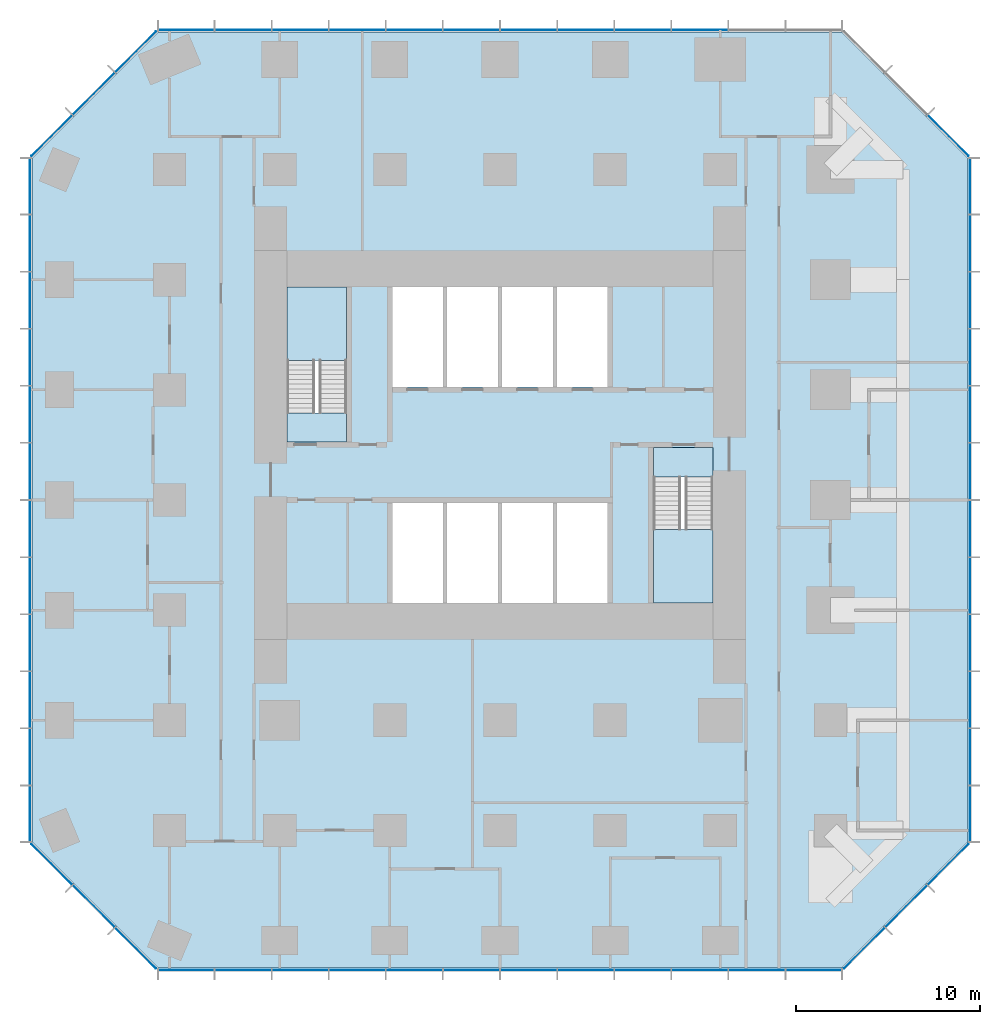
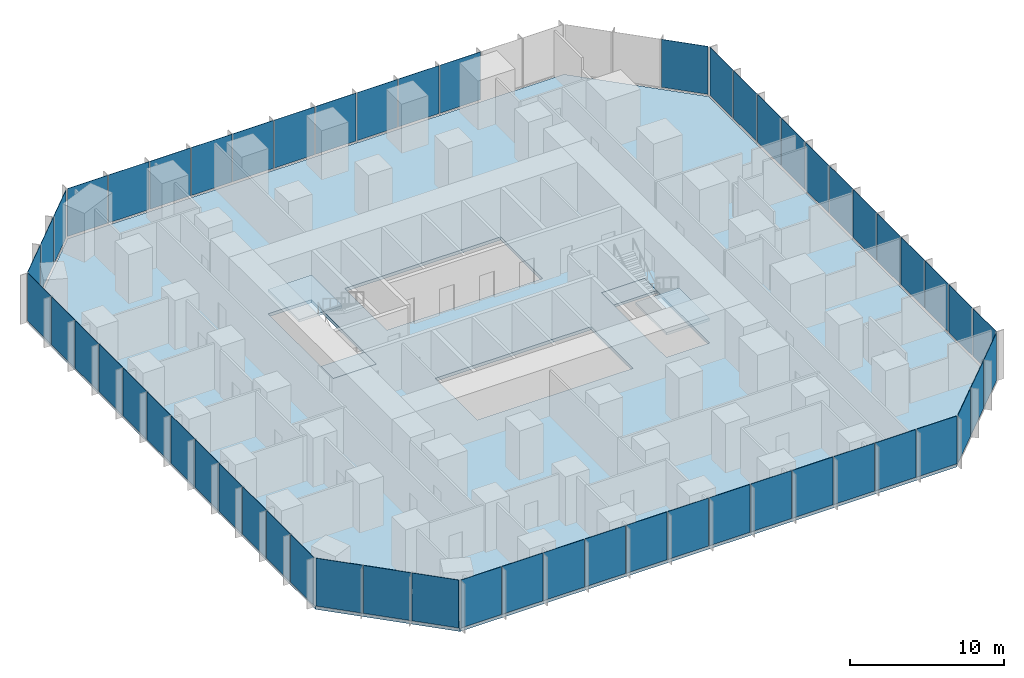
# One storey, part 7 of 12: 56 plates, 5 slabs, 10 elements without a shape of their own.
"""IFC4 building model written with IfcOpenShell, lengths in metres."""

from ifc_helpers import new_model, si_unit, direction, frame, origin, origin_2d, place, context, subcontext, project, spatial, polyline, rectangle, outline, extrude, material, layer, layer_set, type_object, element, aggregate, save


model = new_model("IFC4")

# Units and contexts
model_context = context("Model", 3, precision=1e-05, world=origin(), true_north=direction((0.0, 1.0)))
body_context = subcontext(model_context, "Body", "Model", "MODEL_VIEW")
ifc_project = project(units=[si_unit("LENGTHUNIT", "METRE"), si_unit("AREAUNIT", "SQUARE_METRE"), si_unit("VOLUMEUNIT", "CUBIC_METRE"), si_unit("PLANEANGLEUNIT", "RADIAN"), si_unit("MASSUNIT", "GRAM", prefix="KILO")], contexts=[model_context])

# Site, building, storey
site_placement = place(None, origin())
site = spatial("IfcSite", under=ifc_project, at=site_placement, CompositionType="ELEMENT")
building_placement = place(site_placement, origin())
building = spatial("IfcBuilding", under=site, at=building_placement, Name="Highveld Stack Headquarters", CompositionType="ELEMENT")
storey_placement = place(building_placement, frame((0.0, 0.0, 57.199951171875)))
storey = spatial("IfcBuildingStorey", under=building, at=storey_placement, Name="L13", CompositionType="ELEMENT", Elevation=57.199951171875)

# Curtain wall, plates
ifc_material_1 = material(Name="Aluminium bronze anodised", Category="aluminium")
ifc_layer_1 = layer(ifc_material_1, 0.199951171875)
ifc_layer_set_1 = layer_set([ifc_layer_1], Name="Aluminium bronze anodised")
curtain_wall_type_1 = type_object("IfcCurtainWallType", Name="CW1 TOWER UNITISED CURTAIN WALL", PredefinedType="NOTDEFINED", material=ifc_layer_set_1)
curtain_wall_1_placement = place(storey_placement, origin())
curtain_wall_1 = element("IfcCurtainWall", 1, at=curtain_wall_1_placement, inside=storey, type_object=curtain_wall_type_1, Name="Curtain wall CW1 L13 S", PredefinedType="NOTDEFINED")
ifc_material_2 = material(Name="Glass bronze tinted double glazed unit", Category="glass")
ifc_layer_2 = layer(ifc_material_2, 0.028076171875)
ifc_layer_set_2 = layer_set([ifc_layer_2], Name="Glass bronze tinted double glazed unit")
plate_type_1 = type_object("IfcPlateType", Name="CW1 PANEL BRONZE TINTED DOUBLE GLAZED UNIT", PredefinedType="CURTAIN_PANEL", material=ifc_layer_set_2)
plate_1_placement = place(storey_placement, frame((-11.09130859375, -25.60009765625, 0.10009765625), z_axis=(0.0, 0.0, 1.0), x_axis=(1.0, 0.0, 0.0)))
plate_1 = element("IfcPlate", 2, at=plate_1_placement, type_object=plate_type_1, Name="CW1 panel L13 1.1", PredefinedType="CURTAIN_PANEL", context=body_context, shape_type="SweptSolid", body=[
    extrude(rectangle(XDim=3.012939453125, YDim=0.028076171875, at=origin_2d()), origin(), (0.0, 0.0, 1.0), 3.800048828125),
])
plate_2_placement = place(storey_placement, frame((-7.9970703125, -25.60009765625, 0.10009765625), z_axis=(0.0, 0.0, 1.0), x_axis=(1.0, 0.0, 0.0)))
plate_2 = element("IfcPlate", 3, at=plate_2_placement, type_object=plate_type_1, Name="CW1 panel L13 2.1", PredefinedType="CURTAIN_PANEL", context=body_context, shape_type="SweptSolid", body=[
    extrude(rectangle(XDim=3.04541015625, YDim=0.028076171875, at=origin_2d()), origin(), (0.0, 0.0, 1.0), 3.800048828125),
])
plate_3_placement = place(storey_placement, frame((-4.88671875, -25.60009765625, 0.10009765625), z_axis=(0.0, 0.0, 1.0), x_axis=(1.0, 0.0, 0.0)))
plate_3 = element("IfcPlate", 4, at=plate_3_placement, type_object=plate_type_1, Name="CW1 panel L13 3.1", PredefinedType="CURTAIN_PANEL", context=body_context, shape_type="SweptSolid", body=[
    extrude(rectangle(XDim=3.04541015625, YDim=0.028076171875, at=origin_2d()), origin(), (0.0, 0.0, 1.0), 3.800048828125),
])
plate_4_placement = place(storey_placement, frame((-1.776123046875, -25.60009765625, 0.10009765625), z_axis=(0.0, 0.0, 1.0), x_axis=(1.0, 0.0, 0.0)))
plate_4 = element("IfcPlate", 5, at=plate_4_placement, type_object=plate_type_1, Name="CW1 panel L13 4.1", PredefinedType="CURTAIN_PANEL", context=body_context, shape_type="SweptSolid", body=[
    extrude(rectangle(XDim=3.04541015625, YDim=0.028076171875, at=origin_2d()), origin(), (0.0, 0.0, 1.0), 3.800048828125),
])
plate_5_placement = place(storey_placement, frame((1.334228515625, -25.60009765625, 0.10009765625), z_axis=(0.0, 0.0, 1.0), x_axis=(1.0, 0.0, 0.0)))
plate_5 = element("IfcPlate", 6, at=plate_5_placement, type_object=plate_type_1, Name="CW1 panel L13 5.1", PredefinedType="CURTAIN_PANEL", context=body_context, shape_type="SweptSolid", body=[
    extrude(rectangle(XDim=3.04541015625, YDim=0.028076171875, at=origin_2d()), origin(), (0.0, 0.0, 1.0), 3.800048828125),
])
plate_6_placement = place(storey_placement, frame((4.44482421875, -25.60009765625, 0.10009765625), z_axis=(0.0, 0.0, 1.0), x_axis=(1.0, 0.0, 0.0)))
plate_6 = element("IfcPlate", 7, at=plate_6_placement, type_object=plate_type_1, Name="CW1 panel L13 6.1", PredefinedType="CURTAIN_PANEL", context=body_context, shape_type="SweptSolid", body=[
    extrude(rectangle(XDim=3.04541015625, YDim=0.028076171875, at=origin_2d()), origin(), (0.0, 0.0, 1.0), 3.800048828125),
])
plate_7_placement = place(storey_placement, frame((7.55517578125, -25.60009765625, 0.10009765625), z_axis=(0.0, 0.0, 1.0), x_axis=(1.0, 0.0, 0.0)))
plate_7 = element("IfcPlate", 8, at=plate_7_placement, type_object=plate_type_1, Name="CW1 panel L13 7.1", PredefinedType="CURTAIN_PANEL", context=body_context, shape_type="SweptSolid", body=[
    extrude(rectangle(XDim=3.04541015625, YDim=0.028076171875, at=origin_2d()), origin(), (0.0, 0.0, 1.0), 3.800048828125),
])
plate_8_placement = place(storey_placement, frame((10.665771484375, -25.60009765625, 0.10009765625), z_axis=(0.0, 0.0, 1.0), x_axis=(1.0, 0.0, 0.0)))
plate_8 = element("IfcPlate", 9, at=plate_8_placement, type_object=plate_type_1, Name="CW1 panel L13 8.1", PredefinedType="CURTAIN_PANEL", context=body_context, shape_type="SweptSolid", body=[
    extrude(rectangle(XDim=3.04541015625, YDim=0.028076171875, at=origin_2d()), origin(), (0.0, 0.0, 1.0), 3.800048828125),
])
plate_9_placement = place(storey_placement, frame((13.776123046875, -25.60009765625, 0.10009765625), z_axis=(0.0, 0.0, 1.0), x_axis=(1.0, 0.0, 0.0)))
plate_9 = element("IfcPlate", 10, at=plate_9_placement, type_object=plate_type_1, Name="CW1 panel L13 9.1", PredefinedType="CURTAIN_PANEL", context=body_context, shape_type="SweptSolid", body=[
    extrude(rectangle(XDim=3.04541015625, YDim=0.028076171875, at=origin_2d()), origin(), (0.0, 0.0, 1.0), 3.800048828125),
])
plate_10_placement = place(storey_placement, frame((16.88671875, -25.60009765625, 0.10009765625), z_axis=(0.0, 0.0, 1.0), x_axis=(1.0, 0.0, 0.0)))
plate_10 = element("IfcPlate", 11, at=plate_10_placement, type_object=plate_type_1, Name="CW1 panel L13 10.1", PredefinedType="CURTAIN_PANEL", context=body_context, shape_type="SweptSolid", body=[
    extrude(rectangle(XDim=3.04541015625, YDim=0.028076171875, at=origin_2d()), origin(), (0.0, 0.0, 1.0), 3.800048828125),
])
plate_11_placement = place(storey_placement, frame((19.9970703125, -25.60009765625, 0.10009765625), z_axis=(0.0, 0.0, 1.0), x_axis=(1.0, 0.0, 0.0)))
plate_11 = element("IfcPlate", 12, at=plate_11_placement, type_object=plate_type_1, Name="CW1 panel L13 11.1", PredefinedType="CURTAIN_PANEL", context=body_context, shape_type="SweptSolid", body=[
    extrude(rectangle(XDim=3.04541015625, YDim=0.028076171875, at=origin_2d()), origin(), (0.0, 0.0, 1.0), 3.800048828125),
])
plate_12_placement = place(storey_placement, frame((23.09130859375, -25.60009765625, 0.10009765625), z_axis=(0.0, 0.0, 1.0), x_axis=(1.0, 0.0, 0.0)))
plate_12 = element("IfcPlate", 13, at=plate_12_placement, type_object=plate_type_1, Name="CW1 panel L13 12.1", PredefinedType="CURTAIN_PANEL", context=body_context, shape_type="SweptSolid", body=[
    extrude(rectangle(XDim=3.012939453125, YDim=0.028076171875, at=origin_2d()), origin(), (0.0, 0.0, 1.0), 3.800048828125),
])
aggregate(curtain_wall_1, [plate_1, plate_2, plate_3, plate_4, plate_5, plate_6, plate_7, plate_8, plate_9, plate_10, plate_11, plate_12])

curtain_wall_2_placement = place(storey_placement, origin())
curtain_wall_2 = element("IfcCurtainWall", 14, at=curtain_wall_2_placement, inside=storey, type_object=curtain_wall_type_1, Name="Curtain wall CW1 L13 E", PredefinedType="NOTDEFINED")
plate_13_placement = place(storey_placement, frame((31.60009765625, -17.09130859375, 0.10009765625), z_axis=(0.0, 0.0, 1.0), x_axis=(0.0, 1.0, 0.0)))
plate_13 = element("IfcPlate", 15, at=plate_13_placement, type_object=plate_type_1, Name="CW1 panel L13 1.1", PredefinedType="CURTAIN_PANEL", context=body_context, shape_type="SweptSolid", body=[
    extrude(rectangle(XDim=3.012939453125, YDim=0.028076171875, at=origin_2d()), origin(), (0.0, 0.0, 1.0), 3.800048828125),
])
plate_14_placement = place(storey_placement, frame((31.60009765625, -13.9970703125, 0.10009765625), z_axis=(0.0, 0.0, 1.0), x_axis=(0.0, 1.0, 0.0)))
plate_14 = element("IfcPlate", 16, at=plate_14_placement, type_object=plate_type_1, Name="CW1 panel L13 2.1", PredefinedType="CURTAIN_PANEL", context=body_context, shape_type="SweptSolid", body=[
    extrude(rectangle(XDim=3.04541015625, YDim=0.028076171875, at=origin_2d()), origin(), (0.0, 0.0, 1.0), 3.800048828125),
])
plate_15_placement = place(storey_placement, frame((31.60009765625, -10.88671875, 0.10009765625), z_axis=(0.0, 0.0, 1.0), x_axis=(0.0, 1.0, 0.0)))
plate_15 = element("IfcPlate", 17, at=plate_15_placement, type_object=plate_type_1, Name="CW1 panel L13 3.1", PredefinedType="CURTAIN_PANEL", context=body_context, shape_type="SweptSolid", body=[
    extrude(rectangle(XDim=3.04541015625, YDim=0.028076171875, at=origin_2d()), origin(), (0.0, 0.0, 1.0), 3.800048828125),
])
plate_16_placement = place(storey_placement, frame((31.60009765625, -7.776123046875, 0.10009765625), z_axis=(0.0, 0.0, 1.0), x_axis=(0.0, 1.0, 0.0)))
plate_16 = element("IfcPlate", 18, at=plate_16_placement, type_object=plate_type_1, Name="CW1 panel L13 4.1", PredefinedType="CURTAIN_PANEL", context=body_context, shape_type="SweptSolid", body=[
    extrude(rectangle(XDim=3.04541015625, YDim=0.028076171875, at=origin_2d()), origin(), (0.0, 0.0, 1.0), 3.800048828125),
])
plate_17_placement = place(storey_placement, frame((31.60009765625, -4.665771484375, 0.10009765625), z_axis=(0.0, 0.0, 1.0), x_axis=(0.0, 1.0, 0.0)))
plate_17 = element("IfcPlate", 19, at=plate_17_placement, type_object=plate_type_1, Name="CW1 panel L13 5.1", PredefinedType="CURTAIN_PANEL", context=body_context, shape_type="SweptSolid", body=[
    extrude(rectangle(XDim=3.04541015625, YDim=0.028076171875, at=origin_2d()), origin(), (0.0, 0.0, 1.0), 3.800048828125),
])
plate_18_placement = place(storey_placement, frame((31.60009765625, -1.55517578125, 0.10009765625), z_axis=(0.0, 0.0, 1.0), x_axis=(0.0, 1.0, 0.0)))
plate_18 = element("IfcPlate", 20, at=plate_18_placement, type_object=plate_type_1, Name="CW1 panel L13 6.1", PredefinedType="CURTAIN_PANEL", context=body_context, shape_type="SweptSolid", body=[
    extrude(rectangle(XDim=3.04541015625, YDim=0.028076171875, at=origin_2d()), origin(), (0.0, 0.0, 1.0), 3.800048828125),
])
plate_19_placement = place(storey_placement, frame((31.60009765625, 1.55517578125, 0.10009765625), z_axis=(0.0, 0.0, 1.0), x_axis=(0.0, 1.0, 0.0)))
plate_19 = element("IfcPlate", 21, at=plate_19_placement, type_object=plate_type_1, Name="CW1 panel L13 7.1", PredefinedType="CURTAIN_PANEL", context=body_context, shape_type="SweptSolid", body=[
    extrude(rectangle(XDim=3.04541015625, YDim=0.028076171875, at=origin_2d()), origin(), (0.0, 0.0, 1.0), 3.800048828125),
])
plate_20_placement = place(storey_placement, frame((31.60009765625, 4.665771484375, 0.10009765625), z_axis=(0.0, 0.0, 1.0), x_axis=(0.0, 1.0, 0.0)))
plate_20 = element("IfcPlate", 22, at=plate_20_placement, type_object=plate_type_1, Name="CW1 panel L13 8.1", PredefinedType="CURTAIN_PANEL", context=body_context, shape_type="SweptSolid", body=[
    extrude(rectangle(XDim=3.04541015625, YDim=0.028076171875, at=origin_2d()), origin(), (0.0, 0.0, 1.0), 3.800048828125),
])
plate_21_placement = place(storey_placement, frame((31.60009765625, 7.776123046875, 0.10009765625), z_axis=(0.0, 0.0, 1.0), x_axis=(0.0, 1.0, 0.0)))
plate_21 = element("IfcPlate", 23, at=plate_21_placement, type_object=plate_type_1, Name="CW1 panel L13 9.1", PredefinedType="CURTAIN_PANEL", context=body_context, shape_type="SweptSolid", body=[
    extrude(rectangle(XDim=3.04541015625, YDim=0.028076171875, at=origin_2d()), origin(), (0.0, 0.0, 1.0), 3.800048828125),
])
plate_22_placement = place(storey_placement, frame((31.60009765625, 10.88671875, 0.10009765625), z_axis=(0.0, 0.0, 1.0), x_axis=(0.0, 1.0, 0.0)))
plate_22 = element("IfcPlate", 24, at=plate_22_placement, type_object=plate_type_1, Name="CW1 panel L13 10.1", PredefinedType="CURTAIN_PANEL", context=body_context, shape_type="SweptSolid", body=[
    extrude(rectangle(XDim=3.04541015625, YDim=0.028076171875, at=origin_2d()), origin(), (0.0, 0.0, 1.0), 3.800048828125),
])
plate_23_placement = place(storey_placement, frame((31.60009765625, 13.9970703125, 0.10009765625), z_axis=(0.0, 0.0, 1.0), x_axis=(0.0, 1.0, 0.0)))
plate_23 = element("IfcPlate", 25, at=plate_23_placement, type_object=plate_type_1, Name="CW1 panel L13 11.1", PredefinedType="CURTAIN_PANEL", context=body_context, shape_type="SweptSolid", body=[
    extrude(rectangle(XDim=3.04541015625, YDim=0.028076171875, at=origin_2d()), origin(), (0.0, 0.0, 1.0), 3.800048828125),
])
plate_24_placement = place(storey_placement, frame((31.60009765625, 17.09130859375, 0.10009765625), z_axis=(0.0, 0.0, 1.0), x_axis=(0.0, 1.0, 0.0)))
plate_24 = element("IfcPlate", 26, at=plate_24_placement, type_object=plate_type_1, Name="CW1 panel L13 12.1", PredefinedType="CURTAIN_PANEL", context=body_context, shape_type="SweptSolid", body=[
    extrude(rectangle(XDim=3.012939453125, YDim=0.028076171875, at=origin_2d()), origin(), (0.0, 0.0, 1.0), 3.800048828125),
])
aggregate(curtain_wall_2, [plate_13, plate_14, plate_15, plate_16, plate_17, plate_18, plate_19, plate_20, plate_21, plate_22, plate_23, plate_24])

curtain_wall_3_placement = place(storey_placement, origin())
curtain_wall_3 = element("IfcCurtainWall", 27, at=curtain_wall_3_placement, inside=storey, type_object=curtain_wall_type_1, Name="Curtain wall CW1 L13 N", PredefinedType="NOTDEFINED")
plate_25_placement = place(storey_placement, frame((16.88671875, 25.60009765625, 0.10009765625), z_axis=(0.0, 0.0, 1.0), x_axis=(-1.0, 0.0, 0.0)))
plate_25 = element("IfcPlate", 28, at=plate_25_placement, type_object=plate_type_1, Name="CW1 panel L13 3.1", PredefinedType="CURTAIN_PANEL", context=body_context, shape_type="SweptSolid", body=[
    extrude(rectangle(XDim=3.04541015625, YDim=0.028076171875, at=origin_2d()), origin(), (0.0, 0.0, 1.0), 3.800048828125),
])
plate_26_placement = place(storey_placement, frame((13.776123046875, 25.60009765625, 0.10009765625), z_axis=(0.0, 0.0, 1.0), x_axis=(-1.0, 0.0, 0.0)))
plate_26 = element("IfcPlate", 29, at=plate_26_placement, type_object=plate_type_1, Name="CW1 panel L13 4.1", PredefinedType="CURTAIN_PANEL", context=body_context, shape_type="SweptSolid", body=[
    extrude(rectangle(XDim=3.04541015625, YDim=0.028076171875, at=origin_2d()), origin(), (0.0, 0.0, 1.0), 3.800048828125),
])
plate_27_placement = place(storey_placement, frame((10.665771484375, 25.60009765625, 0.10009765625), z_axis=(0.0, 0.0, 1.0), x_axis=(-1.0, 0.0, 0.0)))
plate_27 = element("IfcPlate", 30, at=plate_27_placement, type_object=plate_type_1, Name="CW1 panel L13 5.1", PredefinedType="CURTAIN_PANEL", context=body_context, shape_type="SweptSolid", body=[
    extrude(rectangle(XDim=3.04541015625, YDim=0.028076171875, at=origin_2d()), origin(), (0.0, 0.0, 1.0), 3.800048828125),
])
plate_28_placement = place(storey_placement, frame((7.55517578125, 25.60009765625, 0.10009765625), z_axis=(0.0, 0.0, 1.0), x_axis=(-1.0, 0.0, 0.0)))
plate_28 = element("IfcPlate", 31, at=plate_28_placement, type_object=plate_type_1, Name="CW1 panel L13 6.1", PredefinedType="CURTAIN_PANEL", context=body_context, shape_type="SweptSolid", body=[
    extrude(rectangle(XDim=3.04541015625, YDim=0.028076171875, at=origin_2d()), origin(), (0.0, 0.0, 1.0), 3.800048828125),
])
plate_29_placement = place(storey_placement, frame((4.44482421875, 25.60009765625, 0.10009765625), z_axis=(0.0, 0.0, 1.0), x_axis=(-1.0, 0.0, 0.0)))
plate_29 = element("IfcPlate", 32, at=plate_29_placement, type_object=plate_type_1, Name="CW1 panel L13 7.1", PredefinedType="CURTAIN_PANEL", context=body_context, shape_type="SweptSolid", body=[
    extrude(rectangle(XDim=3.04541015625, YDim=0.028076171875, at=origin_2d()), origin(), (0.0, 0.0, 1.0), 3.800048828125),
])
plate_30_placement = place(storey_placement, frame((1.334228515625, 25.60009765625, 0.10009765625), z_axis=(0.0, 0.0, 1.0), x_axis=(-1.0, 0.0, 0.0)))
plate_30 = element("IfcPlate", 33, at=plate_30_placement, type_object=plate_type_1, Name="CW1 panel L13 8.1", PredefinedType="CURTAIN_PANEL", context=body_context, shape_type="SweptSolid", body=[
    extrude(rectangle(XDim=3.04541015625, YDim=0.028076171875, at=origin_2d()), origin(), (0.0, 0.0, 1.0), 3.800048828125),
])
plate_31_placement = place(storey_placement, frame((-1.776123046875, 25.60009765625, 0.10009765625), z_axis=(0.0, 0.0, 1.0), x_axis=(-1.0, 0.0, 0.0)))
plate_31 = element("IfcPlate", 34, at=plate_31_placement, type_object=plate_type_1, Name="CW1 panel L13 9.1", PredefinedType="CURTAIN_PANEL", context=body_context, shape_type="SweptSolid", body=[
    extrude(rectangle(XDim=3.04541015625, YDim=0.028076171875, at=origin_2d()), origin(), (0.0, 0.0, 1.0), 3.800048828125),
])
plate_32_placement = place(storey_placement, frame((-4.88671875, 25.60009765625, 0.10009765625), z_axis=(0.0, 0.0, 1.0), x_axis=(-1.0, 0.0, 0.0)))
plate_32 = element("IfcPlate", 35, at=plate_32_placement, type_object=plate_type_1, Name="CW1 panel L13 10.1", PredefinedType="CURTAIN_PANEL", context=body_context, shape_type="SweptSolid", body=[
    extrude(rectangle(XDim=3.04541015625, YDim=0.028076171875, at=origin_2d()), origin(), (0.0, 0.0, 1.0), 3.800048828125),
])
plate_33_placement = place(storey_placement, frame((-7.9970703125, 25.60009765625, 0.10009765625), z_axis=(0.0, 0.0, 1.0), x_axis=(-1.0, 0.0, 0.0)))
plate_33 = element("IfcPlate", 36, at=plate_33_placement, type_object=plate_type_1, Name="CW1 panel L13 11.1", PredefinedType="CURTAIN_PANEL", context=body_context, shape_type="SweptSolid", body=[
    extrude(rectangle(XDim=3.04541015625, YDim=0.028076171875, at=origin_2d()), origin(), (0.0, 0.0, 1.0), 3.800048828125),
])
plate_34_placement = place(storey_placement, frame((-11.09130859375, 25.60009765625, 0.10009765625), z_axis=(0.0, 0.0, 1.0), x_axis=(-1.0, 0.0, 0.0)))
plate_34 = element("IfcPlate", 37, at=plate_34_placement, type_object=plate_type_1, Name="CW1 panel L13 12.1", PredefinedType="CURTAIN_PANEL", context=body_context, shape_type="SweptSolid", body=[
    extrude(rectangle(XDim=3.012939453125, YDim=0.028076171875, at=origin_2d()), origin(), (0.0, 0.0, 1.0), 3.800048828125),
])
aggregate(curtain_wall_3, [plate_25, plate_26, plate_27, plate_28, plate_29, plate_30, plate_31, plate_32, plate_33, plate_34])

curtain_wall_4_placement = place(storey_placement, origin())
curtain_wall_4 = element("IfcCurtainWall", 38, at=curtain_wall_4_placement, inside=storey, type_object=curtain_wall_type_1, Name="Curtain wall CW1 L13 W", PredefinedType="NOTDEFINED")
plate_35_placement = place(storey_placement, frame((-19.60009765625, 17.09130859375, 0.10009765625), z_axis=(0.0, 0.0, 1.0), x_axis=(0.0, -1.0, 0.0)))
plate_35 = element("IfcPlate", 39, at=plate_35_placement, type_object=plate_type_1, Name="CW1 panel L13 1.1", PredefinedType="CURTAIN_PANEL", context=body_context, shape_type="SweptSolid", body=[
    extrude(rectangle(XDim=3.012939453125, YDim=0.028076171875, at=origin_2d()), origin(), (0.0, 0.0, 1.0), 3.800048828125),
])
plate_36_placement = place(storey_placement, frame((-19.60009765625, 13.9970703125, 0.10009765625), z_axis=(0.0, 0.0, 1.0), x_axis=(0.0, -1.0, 0.0)))
plate_36 = element("IfcPlate", 40, at=plate_36_placement, type_object=plate_type_1, Name="CW1 panel L13 2.1", PredefinedType="CURTAIN_PANEL", context=body_context, shape_type="SweptSolid", body=[
    extrude(rectangle(XDim=3.04541015625, YDim=0.028076171875, at=origin_2d()), origin(), (0.0, 0.0, 1.0), 3.800048828125),
])
plate_37_placement = place(storey_placement, frame((-19.60009765625, 10.88671875, 0.10009765625), z_axis=(0.0, 0.0, 1.0), x_axis=(0.0, -1.0, 0.0)))
plate_37 = element("IfcPlate", 41, at=plate_37_placement, type_object=plate_type_1, Name="CW1 panel L13 3.1", PredefinedType="CURTAIN_PANEL", context=body_context, shape_type="SweptSolid", body=[
    extrude(rectangle(XDim=3.04541015625, YDim=0.028076171875, at=origin_2d()), origin(), (0.0, 0.0, 1.0), 3.800048828125),
])
plate_38_placement = place(storey_placement, frame((-19.60009765625, 7.776123046875, 0.10009765625), z_axis=(0.0, 0.0, 1.0), x_axis=(0.0, -1.0, 0.0)))
plate_38 = element("IfcPlate", 42, at=plate_38_placement, type_object=plate_type_1, Name="CW1 panel L13 4.1", PredefinedType="CURTAIN_PANEL", context=body_context, shape_type="SweptSolid", body=[
    extrude(rectangle(XDim=3.04541015625, YDim=0.028076171875, at=origin_2d()), origin(), (0.0, 0.0, 1.0), 3.800048828125),
])
plate_39_placement = place(storey_placement, frame((-19.60009765625, 4.665771484375, 0.10009765625), z_axis=(0.0, 0.0, 1.0), x_axis=(0.0, -1.0, 0.0)))
plate_39 = element("IfcPlate", 43, at=plate_39_placement, type_object=plate_type_1, Name="CW1 panel L13 5.1", PredefinedType="CURTAIN_PANEL", context=body_context, shape_type="SweptSolid", body=[
    extrude(rectangle(XDim=3.04541015625, YDim=0.028076171875, at=origin_2d()), origin(), (0.0, 0.0, 1.0), 3.800048828125),
])
plate_40_placement = place(storey_placement, frame((-19.60009765625, 1.55517578125, 0.10009765625), z_axis=(0.0, 0.0, 1.0), x_axis=(0.0, -1.0, 0.0)))
plate_40 = element("IfcPlate", 44, at=plate_40_placement, type_object=plate_type_1, Name="CW1 panel L13 6.1", PredefinedType="CURTAIN_PANEL", context=body_context, shape_type="SweptSolid", body=[
    extrude(rectangle(XDim=3.04541015625, YDim=0.028076171875, at=origin_2d()), origin(), (0.0, 0.0, 1.0), 3.800048828125),
])
plate_41_placement = place(storey_placement, frame((-19.60009765625, -1.55517578125, 0.10009765625), z_axis=(0.0, 0.0, 1.0), x_axis=(0.0, -1.0, 0.0)))
plate_41 = element("IfcPlate", 45, at=plate_41_placement, type_object=plate_type_1, Name="CW1 panel L13 7.1", PredefinedType="CURTAIN_PANEL", context=body_context, shape_type="SweptSolid", body=[
    extrude(rectangle(XDim=3.04541015625, YDim=0.028076171875, at=origin_2d()), origin(), (0.0, 0.0, 1.0), 3.800048828125),
])
plate_42_placement = place(storey_placement, frame((-19.60009765625, -4.665771484375, 0.10009765625), z_axis=(0.0, 0.0, 1.0), x_axis=(0.0, -1.0, 0.0)))
plate_42 = element("IfcPlate", 46, at=plate_42_placement, type_object=plate_type_1, Name="CW1 panel L13 8.1", PredefinedType="CURTAIN_PANEL", context=body_context, shape_type="SweptSolid", body=[
    extrude(rectangle(XDim=3.04541015625, YDim=0.028076171875, at=origin_2d()), origin(), (0.0, 0.0, 1.0), 3.800048828125),
])
plate_43_placement = place(storey_placement, frame((-19.60009765625, -7.776123046875, 0.10009765625), z_axis=(0.0, 0.0, 1.0), x_axis=(0.0, -1.0, 0.0)))
plate_43 = element("IfcPlate", 47, at=plate_43_placement, type_object=plate_type_1, Name="CW1 panel L13 9.1", PredefinedType="CURTAIN_PANEL", context=body_context, shape_type="SweptSolid", body=[
    extrude(rectangle(XDim=3.04541015625, YDim=0.028076171875, at=origin_2d()), origin(), (0.0, 0.0, 1.0), 3.800048828125),
])
plate_44_placement = place(storey_placement, frame((-19.60009765625, -10.88671875, 0.10009765625), z_axis=(0.0, 0.0, 1.0), x_axis=(0.0, -1.0, 0.0)))
plate_44 = element("IfcPlate", 48, at=plate_44_placement, type_object=plate_type_1, Name="CW1 panel L13 10.1", PredefinedType="CURTAIN_PANEL", context=body_context, shape_type="SweptSolid", body=[
    extrude(rectangle(XDim=3.04541015625, YDim=0.028076171875, at=origin_2d()), origin(), (0.0, 0.0, 1.0), 3.800048828125),
])
plate_45_placement = place(storey_placement, frame((-19.60009765625, -13.9970703125, 0.10009765625), z_axis=(0.0, 0.0, 1.0), x_axis=(0.0, -1.0, 0.0)))
plate_45 = element("IfcPlate", 49, at=plate_45_placement, type_object=plate_type_1, Name="CW1 panel L13 11.1", PredefinedType="CURTAIN_PANEL", context=body_context, shape_type="SweptSolid", body=[
    extrude(rectangle(XDim=3.04541015625, YDim=0.028076171875, at=origin_2d()), origin(), (0.0, 0.0, 1.0), 3.800048828125),
])
plate_46_placement = place(storey_placement, frame((-19.60009765625, -17.09130859375, 0.10009765625), z_axis=(0.0, 0.0, 1.0), x_axis=(0.0, -1.0, 0.0)))
plate_46 = element("IfcPlate", 50, at=plate_46_placement, type_object=plate_type_1, Name="CW1 panel L13 12.1", PredefinedType="CURTAIN_PANEL", context=body_context, shape_type="SweptSolid", body=[
    extrude(rectangle(XDim=3.012939453125, YDim=0.028076171875, at=origin_2d()), origin(), (0.0, 0.0, 1.0), 3.800048828125),
])
aggregate(curtain_wall_4, [plate_35, plate_36, plate_37, plate_38, plate_39, plate_40, plate_41, plate_42, plate_43, plate_44, plate_45, plate_46])

ifc_material_3 = material(Name="Aluminium bronze anodised", Category="aluminium")
ifc_layer_3 = layer(ifc_material_3, 0.199951171875)
ifc_layer_set_3 = layer_set([ifc_layer_3], Name="Aluminium bronze anodised")
curtain_wall_type_2 = type_object("IfcCurtainWallType", Name="CW2 TOWER CHAMFER UNITISED CURTAIN WALL", PredefinedType="NOTDEFINED", material=ifc_layer_set_3)
curtain_wall_5_placement = place(storey_placement, origin())
curtain_wall_5 = element("IfcCurtainWall", 51, at=curtain_wall_5_placement, inside=storey, type_object=curtain_wall_type_2, Name="Curtain wall CW2 L13 SE", PredefinedType="NOTDEFINED")
ifc_material_4 = material(Name="Glass bronze tinted double glazed unit", Category="glass")
ifc_layer_4 = layer(ifc_material_4, 0.028076171875)
ifc_layer_set_4 = layer_set([ifc_layer_4], Name="Glass bronze tinted double glazed unit")
plate_type_2 = type_object("IfcPlateType", Name="CW2 PANEL BRONZE TINTED DOUBLE GLAZED UNIT", PredefinedType="CURTAIN_PANEL", material=ifc_layer_set_4)
plate_47_placement = place(storey_placement, frame((25.8427734375, -24.419921875, 0.10009765625), z_axis=(0.0, 0.0, 1.0), x_axis=(0.707106781187, 0.707106781187, 0.0)))
plate_47 = element("IfcPlate", 52, at=plate_47_placement, type_object=plate_type_2, Name="CW2 panel L13 1.1", PredefinedType="CURTAIN_PANEL", context=body_context, shape_type="SweptSolid", body=[
    extrude(rectangle(XDim=3.1376953125, YDim=0.028076171875, at=origin_2d()), origin(), (0.0, 0.0, 1.0), 3.800048828125),
])
plate_48_placement = place(storey_placement, frame((28.13134765625, -22.13134765625, 0.10009765625), z_axis=(0.0, 0.0, 1.0), x_axis=(0.707106781187, 0.707106781187, 0.0)))
plate_48 = element("IfcPlate", 53, at=plate_48_placement, type_object=plate_type_2, Name="CW2 panel L13 2.1", PredefinedType="CURTAIN_PANEL", context=body_context, shape_type="SweptSolid", body=[
    extrude(rectangle(XDim=3.205322265625, YDim=0.028076171875, at=origin_2d()), origin(), (0.0, 0.0, 1.0), 3.800048828125),
])
plate_49_placement = place(storey_placement, frame((30.419921875, -19.8427734375, 0.10009765625), z_axis=(0.0, 0.0, 1.0), x_axis=(0.707106781187, 0.707106781187, 0.0)))
plate_49 = element("IfcPlate", 54, at=plate_49_placement, type_object=plate_type_2, Name="CW2 panel L13 3.1", PredefinedType="CURTAIN_PANEL", context=body_context, shape_type="SweptSolid", body=[
    extrude(rectangle(XDim=3.1376953125, YDim=0.028076171875, at=origin_2d()), origin(), (0.0, 0.0, 1.0), 3.800048828125),
])
aggregate(curtain_wall_5, [plate_47, plate_48, plate_49])

# Curtain wall, plate
curtain_wall_6_placement = place(storey_placement, origin())
curtain_wall_6 = element("IfcCurtainWall", 55, at=curtain_wall_6_placement, inside=storey, type_object=curtain_wall_type_2, Name="Curtain wall CW2 L13 NE", PredefinedType="NOTDEFINED")
plate_50_placement = place(storey_placement, frame((30.419921875, 19.8427734375, 0.10009765625), z_axis=(0.0, 0.0, 1.0), x_axis=(-0.707106781187, 0.707106781187, 0.0)))
plate_50 = element("IfcPlate", 56, at=plate_50_placement, type_object=plate_type_2, Name="CW2 panel L13 1.1", PredefinedType="CURTAIN_PANEL", context=body_context, shape_type="SweptSolid", body=[
    extrude(rectangle(XDim=3.1376953125, YDim=0.028076171875, at=origin_2d()), origin(), (0.0, 0.0, 1.0), 3.800048828125),
])
aggregate(curtain_wall_6, [plate_50])

# Curtain wall, plates
curtain_wall_7_placement = place(storey_placement, origin())
curtain_wall_7 = element("IfcCurtainWall", 57, at=curtain_wall_7_placement, inside=storey, type_object=curtain_wall_type_2, Name="Curtain wall CW2 L13 NW", PredefinedType="NOTDEFINED")
plate_51_placement = place(storey_placement, frame((-13.8427734375, 24.419921875, 0.10009765625), z_axis=(0.0, 0.0, 1.0), x_axis=(-0.707106781187, -0.707106781187, 0.0)))
plate_51 = element("IfcPlate", 58, at=plate_51_placement, type_object=plate_type_2, Name="CW2 panel L13 1.1", PredefinedType="CURTAIN_PANEL", context=body_context, shape_type="SweptSolid", body=[
    extrude(rectangle(XDim=3.1376953125, YDim=0.028076171875, at=origin_2d()), origin(), (0.0, 0.0, 1.0), 3.800048828125),
])
plate_52_placement = place(storey_placement, frame((-16.13134765625, 22.13134765625, 0.10009765625), z_axis=(0.0, 0.0, 1.0), x_axis=(-0.707106781187, -0.707106781187, 0.0)))
plate_52 = element("IfcPlate", 59, at=plate_52_placement, type_object=plate_type_2, Name="CW2 panel L13 2.1", PredefinedType="CURTAIN_PANEL", context=body_context, shape_type="SweptSolid", body=[
    extrude(rectangle(XDim=3.205322265625, YDim=0.028076171875, at=origin_2d()), origin(), (0.0, 0.0, 1.0), 3.800048828125),
])
plate_53_placement = place(storey_placement, frame((-18.419921875, 19.8427734375, 0.10009765625), z_axis=(0.0, 0.0, 1.0), x_axis=(-0.707106781187, -0.707106781187, 0.0)))
plate_53 = element("IfcPlate", 60, at=plate_53_placement, type_object=plate_type_2, Name="CW2 panel L13 3.1", PredefinedType="CURTAIN_PANEL", context=body_context, shape_type="SweptSolid", body=[
    extrude(rectangle(XDim=3.1376953125, YDim=0.028076171875, at=origin_2d()), origin(), (0.0, 0.0, 1.0), 3.800048828125),
])
aggregate(curtain_wall_7, [plate_51, plate_52, plate_53])

curtain_wall_8_placement = place(storey_placement, origin())
curtain_wall_8 = element("IfcCurtainWall", 61, at=curtain_wall_8_placement, inside=storey, type_object=curtain_wall_type_2, Name="Curtain wall CW2 L13 SW", PredefinedType="NOTDEFINED")
plate_54_placement = place(storey_placement, frame((-18.419921875, -19.8427734375, 0.10009765625), z_axis=(0.0, 0.0, 1.0), x_axis=(0.707106781187, -0.707106781187, 0.0)))
plate_54 = element("IfcPlate", 62, at=plate_54_placement, type_object=plate_type_2, Name="CW2 panel L13 1.1", PredefinedType="CURTAIN_PANEL", context=body_context, shape_type="SweptSolid", body=[
    extrude(rectangle(XDim=3.1376953125, YDim=0.028076171875, at=origin_2d()), origin(), (0.0, 0.0, 1.0), 3.800048828125),
])
plate_55_placement = place(storey_placement, frame((-16.13134765625, -22.13134765625, 0.10009765625), z_axis=(0.0, 0.0, 1.0), x_axis=(0.707106781187, -0.707106781187, 0.0)))
plate_55 = element("IfcPlate", 63, at=plate_55_placement, type_object=plate_type_2, Name="CW2 panel L13 2.1", PredefinedType="CURTAIN_PANEL", context=body_context, shape_type="SweptSolid", body=[
    extrude(rectangle(XDim=3.205322265625, YDim=0.028076171875, at=origin_2d()), origin(), (0.0, 0.0, 1.0), 3.800048828125),
])
plate_56_placement = place(storey_placement, frame((-13.8427734375, -24.419921875, 0.10009765625), z_axis=(0.0, 0.0, 1.0), x_axis=(0.707106781187, -0.707106781187, 0.0)))
plate_56 = element("IfcPlate", 64, at=plate_56_placement, type_object=plate_type_2, Name="CW2 panel L13 3.1", PredefinedType="CURTAIN_PANEL", context=body_context, shape_type="SweptSolid", body=[
    extrude(rectangle(XDim=3.1376953125, YDim=0.028076171875, at=origin_2d()), origin(), (0.0, 0.0, 1.0), 3.800048828125),
])
aggregate(curtain_wall_8, [plate_54, plate_55, plate_56])

# Slab
ifc_material_5 = material(Name="Concrete C60/75", Category="concrete")
ifc_layer_5 = layer(ifc_material_5, 0.25)
ifc_layer_set_5 = layer_set([ifc_layer_5], Name="Concrete C60/75")
slab_type_1 = type_object("IfcSlabType", Name="PT FLAT SLAB 250", PredefinedType="FLOOR", material=ifc_layer_set_5)
slab_1_placement = place(storey_placement, frame((0.0, 0.0, -0.25)))
element("IfcSlab", 65, at=slab_1_placement, inside=storey, type_object=slab_type_1, Name="Floor slab L13", PredefinedType="FLOOR", context=body_context, shape_type="SweptSolid", body=[
    extrude(outline(polyline([(-12.621337890625, -25.5), (24.621337890625, -25.5), (31.5, -18.621337890625), (31.5, 18.621337890625), (24.621337890625, 25.5), (-12.621337890625, 25.5), (-19.5, 18.621337890625), (-19.5, -18.621337890625), (-12.621337890625, -25.5)]), holes=[polyline([(0.14990234375, 6.14990234375), (11.85009765625, 6.14990234375), (11.85009765625, 11.60009765625), (0.14990234375, 11.60009765625), (0.14990234375, 6.14990234375)]), polyline([(0.14990234375, -5.60009765625), (11.85009765625, -5.60009765625), (11.85009765625, -0.14990234375), (0.14990234375, -0.14990234375), (0.14990234375, -5.60009765625)]), polyline([(-5.60009765625, 3.14990234375), (-2.35009765625, 3.14990234375), (-2.35009765625, 11.60009765625), (-5.60009765625, 11.60009765625), (-5.60009765625, 3.14990234375)]), polyline([(14.35009765625, -5.60009765625), (17.60009765625, -5.60009765625), (17.60009765625, 2.85009765625), (14.35009765625, 2.85009765625), (14.35009765625, -5.60009765625)])]), origin(), (0.0, 0.0, 1.0), 0.25),
])

# Stair, slabs
ifc_material_6 = material(Name="Concrete C40/50, precast", Category="concrete")
stair_type_1 = type_object("IfcStairType", Name="STAIR S1 HALF TURN 1500", PredefinedType="HALF_TURN_STAIR", material=ifc_material_6)
stair_1_placement = place(storey_placement, origin())
stair_1 = element("IfcStair", 66, at=stair_1_placement, inside=storey, type_object=stair_type_1, Name="Stair S1 L13", PredefinedType="HALF_TURN_STAIR")
ifc_material_7 = material(Name="Concrete C40/50, precast", Category="concrete")
ifc_layer_6 = layer(ifc_material_7, 0.199951171875)
ifc_layer_set_6 = layer_set([ifc_layer_6], Name="Concrete C40/50, precast")
slab_type_2 = type_object("IfcSlabType", Name="STAIR LANDING 200", PredefinedType="LANDING", material=ifc_layer_set_6)
slab_2_placement = place(storey_placement, frame((0.0, 0.0, 1.75)))
slab_2 = element("IfcSlab", 67, at=slab_2_placement, type_object=slab_type_2, Name="S1 landing 1", PredefinedType="LANDING", context=body_context, shape_type="SweptSolid", body=[
    extrude(outline(polyline([(-5.60009765625, 7.610107421875), (-2.35009765625, 7.610107421875), (-2.35009765625, 11.60009765625), (-5.60009765625, 11.60009765625), (-5.60009765625, 7.610107421875)])), origin(), (0.0, 0.0, 1.0), 0.199951171875),
])
slab_3_placement = place(storey_placement, frame((0.0, 0.0, -0.199951171875)))
slab_3 = element("IfcSlab", 68, at=slab_3_placement, type_object=slab_type_2, Name="S1 landing 2", PredefinedType="LANDING", context=body_context, shape_type="SweptSolid", body=[
    extrude(outline(polyline([(-5.60009765625, 3.14990234375), (-2.35009765625, 3.14990234375), (-2.35009765625, 4.75), (-5.60009765625, 4.75), (-5.60009765625, 3.14990234375)])), origin(), (0.0, 0.0, 1.0), 0.199951171875),
])
aggregate(stair_1, [slab_2, slab_3])

ifc_material_8 = material(Name="Concrete C40/50, precast", Category="concrete")
stair_type_2 = type_object("IfcStairType", Name="STAIR S2 HALF TURN 1500", PredefinedType="HALF_TURN_STAIR", material=ifc_material_8)
stair_2_placement = place(storey_placement, origin())
stair_2 = element("IfcStair", 69, at=stair_2_placement, inside=storey, type_object=stair_type_2, Name="Stair S2 L13", PredefinedType="HALF_TURN_STAIR")
slab_4_placement = place(storey_placement, frame((0.0, 0.0, 1.75)))
slab_4 = element("IfcSlab", 70, at=slab_4_placement, type_object=slab_type_2, Name="S2 landing 1", PredefinedType="LANDING", context=body_context, shape_type="SweptSolid", body=[
    extrude(outline(polyline([(14.35009765625, -5.60009765625), (17.60009765625, -5.60009765625), (17.60009765625, -1.610107421875), (14.35009765625, -1.610107421875), (14.35009765625, -5.60009765625)])), origin(), (0.0, 0.0, 1.0), 0.199951171875),
])
slab_5_placement = place(storey_placement, frame((0.0, 0.0, -0.199951171875)))
slab_5 = element("IfcSlab", 71, at=slab_5_placement, type_object=slab_type_2, Name="S2 landing 2", PredefinedType="LANDING", context=body_context, shape_type="SweptSolid", body=[
    extrude(outline(polyline([(14.35009765625, 1.25), (17.60009765625, 1.25), (17.60009765625, 2.85009765625), (14.35009765625, 2.85009765625), (14.35009765625, 1.25)])), origin(), (0.0, 0.0, 1.0), 0.199951171875),
])
aggregate(stair_2, [slab_4, slab_5])

save(model, "model.ifc")
